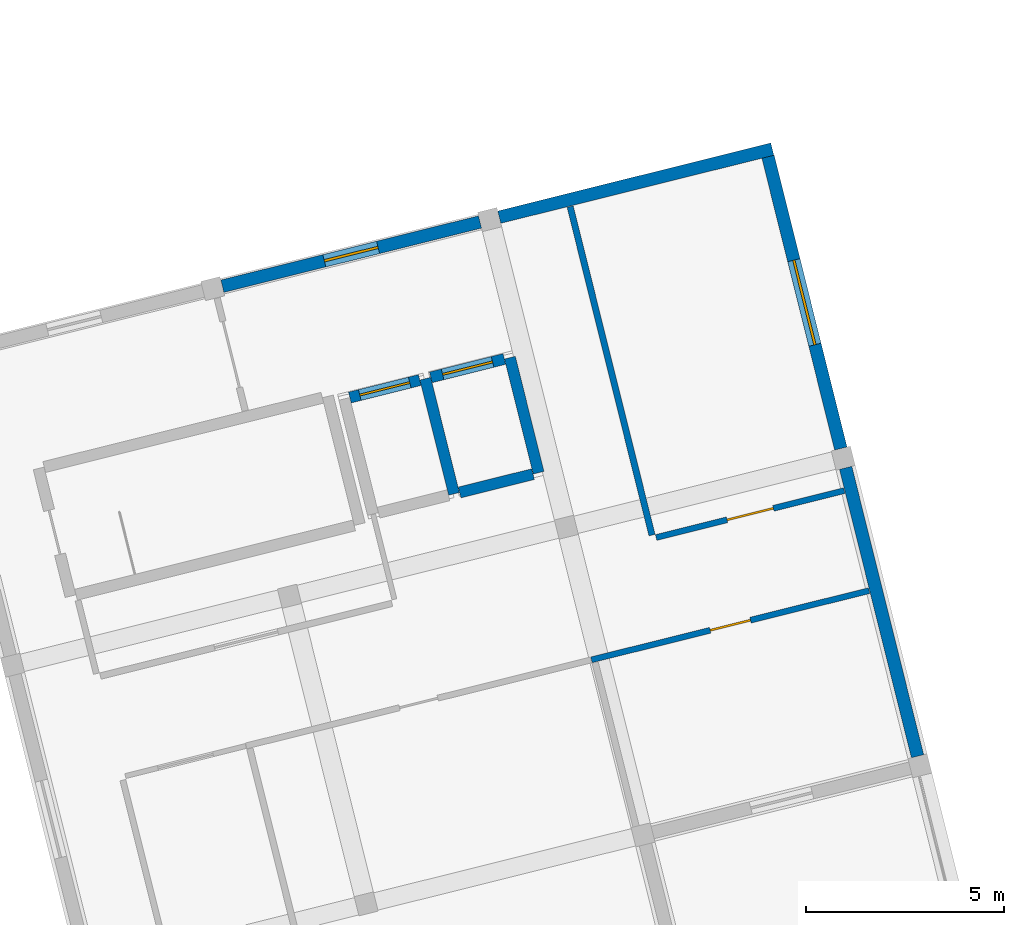
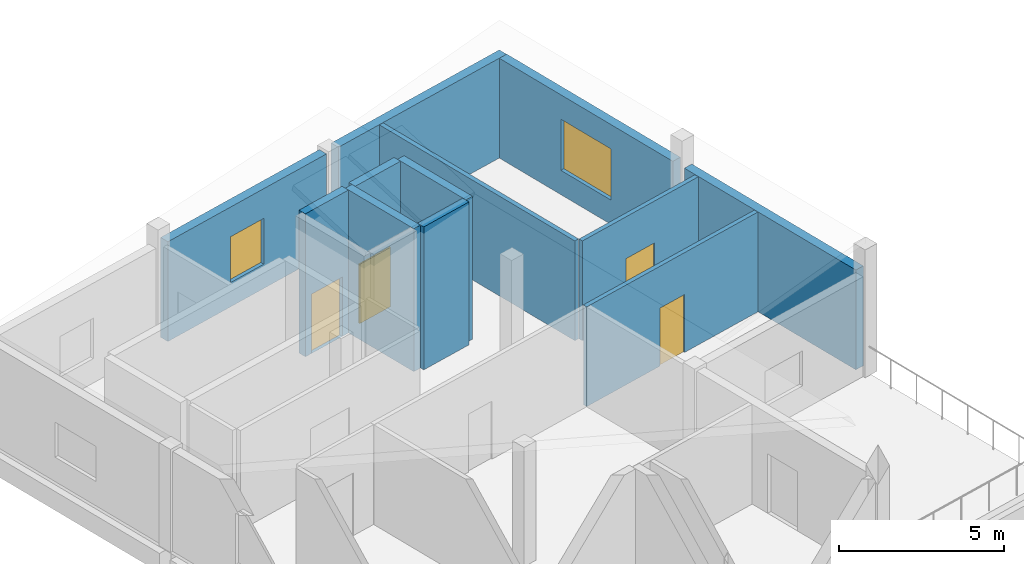
# One storey, part 3 of 4: 12 walls, 4 doors, 2 windows, 6 openings.
"""IFC4 building model written with IfcOpenShell, lengths in metres."""

from ifc_helpers import new_model, si_unit, direction, frame, frame_2d, origin, place, context, subcontext, project, spatial, rectangle, extrude, material, layer, layer_set, type_object, element, fill, save


model = new_model("IFC4")

# Units and contexts
model_context = context("Model", 3, precision=1e-05, world=origin(), true_north=direction((0.0, 1.0)))
body_context = subcontext(model_context, "Body", "Model", "MODEL_VIEW")
ifc_project = project(units=[si_unit("LENGTHUNIT", "METRE"), si_unit("AREAUNIT", "SQUARE_METRE"), si_unit("VOLUMEUNIT", "CUBIC_METRE"), si_unit("PLANEANGLEUNIT", "RADIAN"), si_unit("MASSUNIT", "GRAM", prefix="KILO")], contexts=[model_context])

# Site, building, storey
site_placement = place(None, origin())
site = spatial("IfcSite", under=ifc_project, at=site_placement, CompositionType="ELEMENT")
building_placement = place(site_placement, origin())
building = spatial("IfcBuilding", under=site, at=building_placement, Name="Mawjan Specialist Oncology Clinic", CompositionType="ELEMENT")
storey_placement = place(building_placement, frame((0.0, 0.0, 25.5)))
storey = spatial("IfcBuildingStorey", under=building, at=storey_placement, Name="L06", CompositionType="ELEMENT", Elevation=25.5)

# Wall, opening, window
ifc_material_1 = material(Name="Precast concrete C40/50", Category="concrete")
ifc_layer_1 = layer(ifc_material_1, 0.320068359375, Name="Precast concrete C40/50", Category="concrete")
ifc_layer_set_1 = layer_set([ifc_layer_1], Name="Precast concrete C40/50")
wall_type_1 = type_object("IfcWallType", Name="EW-320", PredefinedType="SOLIDWALL", material=ifc_layer_set_1)
wall_1_placement = place(storey_placement, frame((127.422607421875, 25.889404296875, 0.0), z_axis=(0.0, 0.0, 1.0), x_axis=(0.970296633454, 0.241918257079, 0.0)))
wall_1 = element("IfcWall", 1, at=wall_1_placement, inside=storey, type_object=wall_type_1, Name="L06 Coral-Limestone Exterior Wall EW-L06-395", PredefinedType="SOLIDWALL", context=body_context, shape_type="SweptSolid", body=[
    extrude(rectangle(XDim=6.699951171875, YDim=0.320068359375, at=frame_2d((3.35009765625, 0.0))), origin(), (0.0, 0.0, 1.0), 3.699951171875),
])
opening_1_placement = place(wall_1_placement, frame((2.64990234375, 0.0, 0.89990234375)))
opening_1 = element("IfcOpeningElement", 2, at=opening_1_placement, cuts=wall_1, Name="Opening WN-15", PredefinedType="OPENING", context=body_context, shape_type="SweptSolid", body=[
    extrude(rectangle(XDim=1.39990234375, YDim=1.699951171875, at=frame_2d((0.699951171875, 0.85009765625))), frame((0.0, 0.172119140625, 0.0), z_axis=(0.0, -1.0, 0.0), x_axis=(1.0, 0.0, 0.0)), (0.0, 0.0, 1.0), 0.343994140625),
])
ifc_material_2 = material(Name="Thermally broken low-E clinical aluminium window", Category="aluminium")
window_type_1 = type_object("IfcWindowType", Name="WN-15", PartitioningType="SINGLE_PANEL", PredefinedType="WINDOW", material=ifc_material_2)
window_1_placement = place(opening_1_placement, origin())
window_1 = element("IfcWindow", 3, at=window_1_placement, inside=storey, type_object=window_type_1, Name="L06 Clinical Low-E Window 087", OverallHeight=1.699951171875, OverallWidth=1.39990234375, PartitioningType="SINGLE_PANEL", PredefinedType="WINDOW", context=body_context, shape_type="SweptSolid", body=[
    extrude(rectangle(XDim=1.39990234375, YDim=1.699951171875, at=frame_2d((0.699951171875, 0.85009765625))), frame((0.0, 0.030029296875, 0.0), z_axis=(0.0, -1.0, 0.0), x_axis=(1.0, 0.0, 0.0)), (0.0, 0.0, 1.0), 0.06005859375),
])
fill(opening_1, window_1)

# Wall
wall_2_placement = place(storey_placement, frame((134.40869140625, 27.63134765625, 0.0), z_axis=(0.0, 0.0, 1.0), x_axis=(0.97030006528, 0.241904492141, 0.0)))
element("IfcWall", 4, at=wall_2_placement, inside=storey, type_object=wall_type_1, Name="L06 Coral-Limestone Exterior Wall EW-L06-396", PredefinedType="SOLIDWALL", context=body_context, shape_type="SweptSolid", body=[
    extrude(rectangle(XDim=7.10009765625, YDim=0.320068359375, at=frame_2d((3.550048828125, 0.0))), origin(), (0.0, 0.0, 1.0), 3.699951171875),
])

# Wall, opening, window
wall_3_placement = place(storey_placement, frame((141.1884765625, 29.1669921875, 0.0), z_axis=(0.0, 0.0, 1.0), x_axis=(0.241923337436, -0.970295366785, 0.0)))
wall_3 = element("IfcWall", 5, at=wall_3_placement, inside=storey, type_object=wall_type_1, Name="L06 Coral-Limestone Exterior Wall EW-L06-397", PredefinedType="SOLIDWALL", context=body_context, shape_type="SweptSolid", body=[
    extrude(rectangle(XDim=7.60009765625, YDim=0.320068359375, at=frame_2d((3.800048828125, 0.0))), origin(), (0.0, 0.0, 1.0), 3.699951171875),
])
opening_2_placement = place(wall_3_placement, frame((2.699951171875, 0.0, 0.89990234375)))
opening_2 = element("IfcOpeningElement", 6, at=opening_2_placement, cuts=wall_3, Name="Opening WN-32", PredefinedType="OPENING", context=body_context, shape_type="SweptSolid", body=[
    extrude(rectangle(XDim=2.199951171875, YDim=1.89990234375, at=frame_2d((1.10009765625, 0.949951171875))), frame((0.0, 0.172119140625, 0.0), z_axis=(0.0, -1.0, 0.0), x_axis=(1.0, 0.0, 0.0)), (0.0, 0.0, 1.0), 0.343994140625),
])
ifc_material_3 = material(Name="Thermally broken low-E clinical aluminium window", Category="aluminium")
window_type_2 = type_object("IfcWindowType", Name="WN-32", PartitioningType="DOUBLE_PANEL_VERTICAL", PredefinedType="WINDOW", material=ifc_material_3)
window_2_placement = place(opening_2_placement, origin())
window_2 = element("IfcWindow", 7, at=window_2_placement, inside=storey, type_object=window_type_2, Name="L06 Clinical Low-E Window 088", OverallHeight=1.89990234375, OverallWidth=2.199951171875, PartitioningType="DOUBLE_PANEL_VERTICAL", PredefinedType="WINDOW", context=body_context, shape_type="SweptSolid", body=[
    extrude(rectangle(XDim=2.199951171875, YDim=1.89990234375, at=frame_2d((1.10009765625, 0.949951171875))), frame((0.0, 0.030029296875, 0.0), z_axis=(0.0, -1.0, 0.0), x_axis=(1.0, 0.0, 0.0)), (0.0, 0.0, 1.0), 0.06005859375),
])
fill(opening_2, window_2)

# Walls
wall_4_placement = place(storey_placement, frame((143.148193359375, 21.3076171875, 0.0), z_axis=(0.0, 0.0, 1.0), x_axis=(0.241930483572, -0.970293585014, 0.0)))
element("IfcWall", 8, at=wall_4_placement, inside=storey, type_object=wall_type_1, Name="L06 Coral-Limestone Exterior Wall EW-L06-398", PredefinedType="SOLIDWALL", context=body_context, shape_type="SweptSolid", body=[
    extrude(rectangle(XDim=7.5, YDim=0.320068359375, at=frame_2d((3.75, 0.0))), origin(), (0.0, 0.0, 1.0), 3.699951171875),
])
ifc_material_4 = material(Name="Concrete C45/55", Category="concrete")
ifc_layer_2 = layer(ifc_material_4, 0.280029296875, Name="Concrete C45/55", Category="concrete")
ifc_layer_set_2 = layer_set([ifc_layer_2], Name="Concrete C45/55")
wall_type_2 = type_object("IfcWallType", Name="SW-300", PredefinedType="SHEAR", material=ifc_layer_set_2)
wall_5_placement = place(storey_placement, frame((133.26708984375, 20.650634765625, 0.0), z_axis=(0.0, 0.0, 1.0), x_axis=(-0.241921647353, 0.970295788171, 0.0)))
element("IfcWall", 9, at=wall_5_placement, inside=storey, type_object=wall_type_2, Name="L06 LF-01 Hoistway Wall 2", PredefinedType="SHEAR", context=body_context, shape_type="SweptSolid", body=[
    extrude(rectangle(XDim=2.994140625, YDim=0.280029296875, at=frame_2d((1.4970703125, 0.0))), origin(), (0.0, 0.0, 1.0), 5.300048828125),
])

# Wall, opening, door
wall_6_placement = place(storey_placement, frame((132.402099609375, 23.52099609375, 0.0), z_axis=(0.0, 0.0, 1.0), x_axis=(-0.970284587517, -0.241966566341, 0.0)))
wall_6 = element("IfcWall", 10, at=wall_6_placement, inside=storey, type_object=wall_type_2, Name="L06 LF-01 Hoistway Wall 3", PredefinedType="SHEAR", context=body_context, shape_type="SweptSolid", body=[
    extrude(rectangle(XDim=1.817138671875, YDim=0.280029296875, at=frame_2d((0.90869140625, 0.0))), origin(), (0.0, 0.0, 1.0), 5.300048828125),
])
opening_3_placement = place(wall_6_placement, frame((0.258544921875, 0.0, 0.0)))
opening_3 = element("IfcOpeningElement", 11, at=opening_3_placement, cuts=wall_6, Name="Opening LD-01-L06", PredefinedType="OPENING", context=body_context, shape_type="SweptSolid", body=[
    extrude(rectangle(XDim=1.300048828125, YDim=2.199951171875, at=frame_2d((0.64990234375, 1.10009765625))), frame((0.0, 0.152099609375, 0.0), z_axis=(0.0, -1.0, 0.0), x_axis=(1.0, 0.0, 0.0)), (0.0, 0.0, 1.0), 0.303955078125),
])
ifc_material_5 = material(Name="Stainless-steel fire-rated hospital door", Category="steel")
door_type_1 = type_object("IfcDoorType", Name="LD-130", OperationType="SLIDING_TO_LEFT", PredefinedType="DOOR", material=ifc_material_5)
door_1_placement = place(opening_3_placement, origin())
door_1 = element("IfcDoor", 12, at=door_1_placement, inside=storey, type_object=door_type_1, Name="L06 LF-01 Sliding Lift Landing Door", OperationType="SLIDING_TO_LEFT", OverallHeight=2.199951171875, OverallWidth=1.300048828125, PredefinedType="DOOR", context=body_context, shape_type="SweptSolid", body=[
    extrude(rectangle(XDim=1.300048828125, YDim=2.199951171875, at=frame_2d((0.64990234375, 1.10009765625))), frame((0.0, 0.02490234375, 0.0), z_axis=(0.0, -1.0, 0.0), x_axis=(1.0, 0.0, 0.0)), (0.0, 0.0, 1.0), 0.050048828125),
])
fill(opening_3, door_1)

# Walls
wall_7_placement = place(storey_placement, frame((133.407958984375, 20.685546875, 0.0), z_axis=(0.0, 0.0, 1.0), x_axis=(0.970285190026, 0.241964150272, 0.0)))
element("IfcWall", 13, at=wall_7_placement, inside=storey, type_object=wall_type_2, Name="L06 LF-02 Hoistway Wall 1", PredefinedType="SHEAR", context=body_context, shape_type="SweptSolid", body=[
    extrude(rectangle(XDim=1.909912109375, YDim=0.280029296875, at=frame_2d((0.955078125, 0.0))), origin(), (0.0, 0.0, 1.0), 5.300048828125),
])
wall_8_placement = place(storey_placement, frame((135.40185546875, 21.182861328125, 0.0), z_axis=(0.0, 0.0, 1.0), x_axis=(-0.241921647353, 0.970295788171, 0.0)))
element("IfcWall", 14, at=wall_8_placement, inside=storey, type_object=wall_type_2, Name="L06 LF-02 Hoistway Wall 2", PredefinedType="SHEAR", context=body_context, shape_type="SweptSolid", body=[
    extrude(rectangle(XDim=2.994140625, YDim=0.280029296875, at=frame_2d((1.4970703125, 0.0))), origin(), (0.0, 0.0, 1.0), 5.300048828125),
])

# Wall, opening, door
wall_9_placement = place(storey_placement, frame((134.53662109375, 24.05322265625, 0.0), z_axis=(0.0, 0.0, 1.0), x_axis=(-0.970285190026, -0.241964150272, 0.0)))
wall_9 = element("IfcWall", 15, at=wall_9_placement, inside=storey, type_object=wall_type_2, Name="L06 LF-02 Hoistway Wall 3", PredefinedType="SHEAR", context=body_context, shape_type="SweptSolid", body=[
    extrude(rectangle(XDim=1.909912109375, YDim=0.280029296875, at=frame_2d((0.955078125, 0.0))), origin(), (0.0, 0.0, 1.0), 5.300048828125),
])
opening_4_placement = place(wall_9_placement, frame((0.304931640625, 0.0, 0.0)))
opening_4 = element("IfcOpeningElement", 16, at=opening_4_placement, cuts=wall_9, Name="Opening LD-02-L06", PredefinedType="OPENING", context=body_context, shape_type="SweptSolid", body=[
    extrude(rectangle(XDim=1.300048828125, YDim=2.199951171875, at=frame_2d((0.64990234375, 1.10009765625))), frame((0.0, 0.152099609375, 0.0), z_axis=(0.0, -1.0, 0.0), x_axis=(1.0, 0.0, 0.0)), (0.0, 0.0, 1.0), 0.303955078125),
])
door_2_placement = place(opening_4_placement, origin())
door_2 = element("IfcDoor", 17, at=door_2_placement, inside=storey, type_object=door_type_1, Name="L06 LF-02 Sliding Lift Landing Door", OperationType="SLIDING_TO_RIGHT", OverallHeight=2.199951171875, OverallWidth=1.300048828125, PredefinedType="DOOR", context=body_context, shape_type="SweptSolid", body=[
    extrude(rectangle(XDim=1.300048828125, YDim=2.199951171875, at=frame_2d((0.64990234375, 1.10009765625))), frame((0.0, 0.02490234375, 0.0), z_axis=(0.0, -1.0, 0.0), x_axis=(1.0, 0.0, 0.0)), (0.0, 0.0, 1.0), 0.050048828125),
])
fill(opening_4, door_2)

ifc_material_6 = material(Name="Acoustic gypsum clinical partition", Category="gypsum")
ifc_layer_3 = layer(ifc_material_6, 0.14990234375, Name="Acoustic gypsum clinical partition", Category="gypsum")
ifc_layer_set_3 = layer_set([ifc_layer_3], Name="Acoustic gypsum clinical partition")
wall_type_3 = type_object("IfcWallType", Name="WP-150", PredefinedType="PARTITIONING", material=ifc_layer_set_3)
wall_10_placement = place(storey_placement, frame((136.73681640625, 16.462646484375, 0.0), z_axis=(0.0, 0.0, 1.0), x_axis=(0.970289496005, 0.24194688248, 0.0)))
wall_10 = element("IfcWall", 18, at=wall_10_placement, inside=storey, type_object=wall_type_3, Name="L06 Interior Partition W-RINT-L06-RME-N", PredefinedType="PARTITIONING", context=body_context, shape_type="SweptSolid", body=[
    extrude(rectangle(XDim=7.220947265625, YDim=0.14990234375, at=frame_2d((3.6103515625, 0.0))), origin(), (0.0, 0.0, 1.0), 3.699951171875),
])
opening_5_placement = place(wall_10_placement, frame((3.08544921875, 0.0, 0.0)))
opening_5 = element("IfcOpeningElement", 19, at=opening_5_placement, cuts=wall_10, Name="Opening DI-105", PredefinedType="OPENING", context=body_context, shape_type="SweptSolid", body=[
    extrude(rectangle(XDim=1.050048828125, YDim=2.14990234375, at=frame_2d((0.52490234375, 1.074951171875))), frame((0.0, 0.0869140625, 0.0), z_axis=(0.0, -1.0, 0.0), x_axis=(1.0, 0.0, 0.0)), (0.0, 0.0, 1.0), 0.173828125),
])
ifc_material_7 = material(Name="Acoustic laminate hospital door leaf", Category="wood")
door_type_2 = type_object("IfcDoorType", Name="DI-105", OperationType="NOTDEFINED", PredefinedType="DOOR", material=ifc_material_7)
door_3_placement = place(opening_5_placement, origin())
door_3 = element("IfcDoor", 20, at=door_3_placement, inside=storey, type_object=door_type_2, Name="L06 Oncology Translational Dry Laboratory Door", OperationType="SINGLE_SWING_RIGHT", OverallHeight=2.14990234375, OverallWidth=1.050048828125, PredefinedType="DOOR", context=body_context, shape_type="SweptSolid", body=[
    extrude(rectangle(XDim=1.050048828125, YDim=2.14990234375, at=frame_2d((0.52490234375, 1.074951171875))), frame((0.0, 0.02490234375, 0.0), z_axis=(0.0, -1.0, 0.0), x_axis=(1.0, 0.0, 0.0)), (0.0, 0.0, 1.0), 0.050048828125),
])
fill(opening_5, door_3)

wall_11_placement = place(storey_placement, frame((138.36669921875, 19.548583984375, 0.0), z_axis=(0.0, 0.0, 1.0), x_axis=(0.970289077222, 0.241948561938, 0.0)))
wall_11 = element("IfcWall", 21, at=wall_11_placement, inside=storey, type_object=wall_type_3, Name="L06 Interior Partition W-RINT-L06-RDE1-S", PredefinedType="PARTITIONING", context=body_context, shape_type="SweptSolid", body=[
    extrude(rectangle(XDim=4.892822265625, YDim=0.14990234375, at=frame_2d((2.4462890625, 0.0))), origin(), (0.0, 0.0, 1.0), 3.699951171875),
])
opening_6_placement = place(wall_11_placement, frame((1.846435546875, 0.0, 0.0)))
opening_6 = element("IfcOpeningElement", 22, at=opening_6_placement, cuts=wall_11, Name="Opening DC-120", PredefinedType="OPENING", context=body_context, shape_type="SweptSolid", body=[
    extrude(rectangle(XDim=1.199951171875, YDim=2.14990234375, at=frame_2d((0.60009765625, 1.074951171875))), frame((0.0, 0.0869140625, 0.0), z_axis=(0.0, -1.0, 0.0), x_axis=(1.0, 0.0, 0.0)), (0.0, 0.0, 1.0), 0.173828125),
])
ifc_material_8 = material(Name="Acoustic laminate hospital door leaf", Category="wood")
door_type_3 = type_object("IfcDoorType", Name="DC-120", OperationType="NOTDEFINED", PredefinedType="DOOR", material=ifc_material_8)
door_4_placement = place(opening_6_placement, origin())
door_4 = element("IfcDoor", 23, at=door_4_placement, inside=storey, type_object=door_type_3, Name="L06 Translational Genomics Archive Door", OperationType="SINGLE_SWING_RIGHT", OverallHeight=2.14990234375, OverallWidth=1.199951171875, PredefinedType="DOOR", context=body_context, shape_type="SweptSolid", body=[
    extrude(rectangle(XDim=1.199951171875, YDim=2.14990234375, at=frame_2d((0.60009765625, 1.074951171875))), frame((0.0, 0.02490234375, 0.0), z_axis=(0.0, -1.0, 0.0), x_axis=(1.0, 0.0, 0.0)), (0.0, 0.0, 1.0), 0.050048828125),
])
fill(opening_6, door_4)

# Wall
ifc_material_9 = material(Name="Acoustic clinical twin-stud partition", Category="gypsum")
ifc_layer_4 = layer(ifc_material_9, 0.159912109375, Name="Acoustic clinical twin-stud partition", Category="gypsum")
ifc_layer_set_4 = layer_set([ifc_layer_4], Name="Acoustic clinical twin-stud partition")
wall_type_4 = type_object("IfcWallType", Name="WP-160", PredefinedType="PARTITIONING", material=ifc_layer_set_4)
wall_12_placement = place(storey_placement, frame((138.263671875, 19.610595703125, 0.0), z_axis=(0.0, 0.0, 1.0), x_axis=(-0.241937132378, 0.970291927193, 0.0)))
element("IfcWall", 24, at=wall_12_placement, inside=storey, type_object=wall_type_4, Name="L06 Interior Partition W-RINT-L06-RDE1-W", PredefinedType="PARTITIONING", context=body_context, shape_type="SweptSolid", body=[
    extrude(rectangle(XDim=8.543212890625, YDim=0.159912109375, at=frame_2d((4.271484375, 0.0))), origin(), (0.0, 0.0, 1.0), 3.699951171875),
])

save(model, "model.ifc")
